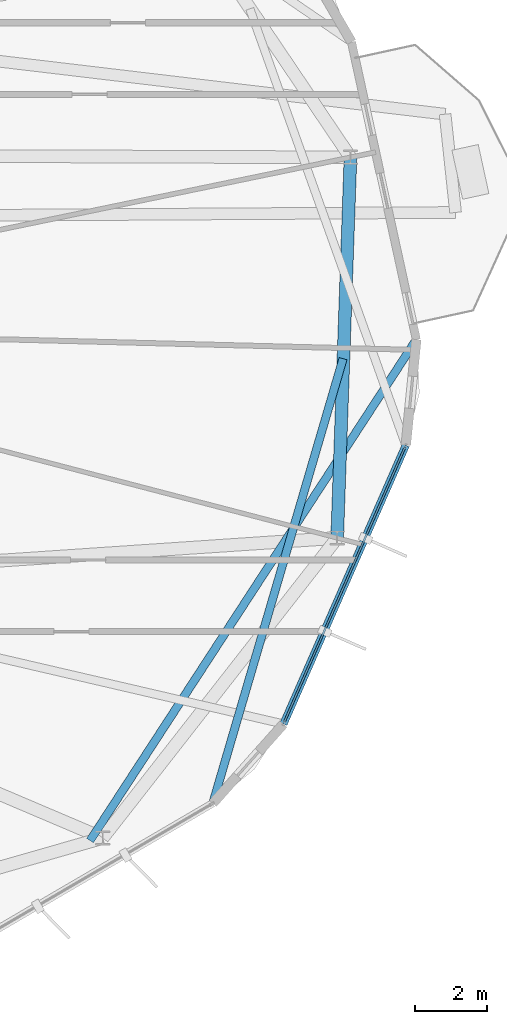
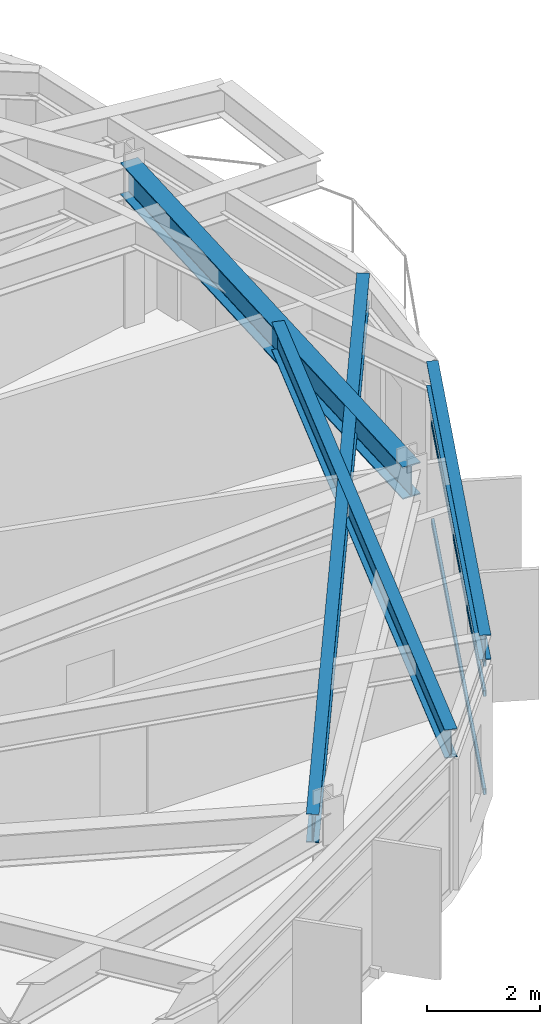
# One storey, part 13 of 25: 4 beams, 3 members, 1 element without a shape of its own.
"""IFC4 building model written with IfcOpenShell, lengths in metres."""

from ifc_helpers import new_model, si_unit, direction, frame, origin, origin_2d, place, context, subcontext, project, spatial, hollow_rectangle, i_section, extrude, material, layer, layer_set, material_profile, profile_set, type_object, element, aggregate, save


model = new_model("IFC4")

# Units and contexts
model_context = context("Model", 3, precision=1e-05, world=origin(), true_north=direction((0.0, 1.0)))
body_context = subcontext(model_context, "Body", "Model", "MODEL_VIEW")
ifc_project = project(units=[si_unit("LENGTHUNIT", "METRE"), si_unit("AREAUNIT", "SQUARE_METRE"), si_unit("VOLUMEUNIT", "CUBIC_METRE"), si_unit("PLANEANGLEUNIT", "RADIAN"), si_unit("MASSUNIT", "GRAM", prefix="KILO")], contexts=[model_context])

# Site, building, storey
site_placement = place(None, origin())
site = spatial("IfcSite", under=ifc_project, at=site_placement, CompositionType="ELEMENT")
building_placement = place(site_placement, origin())
building = spatial("IfcBuilding", under=site, at=building_placement, Name="Soratama Intermodal Tower", CompositionType="ELEMENT")
storey_placement = place(building_placement, frame((0.0, 0.0, 276.25)))
storey = spatial("IfcBuildingStorey", under=building, at=storey_placement, Name="L70", CompositionType="ELEMENT", Elevation=276.25)

# Beams
ifc_material_1 = material(Name="Structural steel ASTM A992 Grade 50", Category="steel")
ifc_material_profile_1 = material_profile(ifc_material_1, i_section(OverallWidth=0.35498046875, OverallDepth=0.695068359375, WebThickness=0.015380859375, FlangeThickness=0.02490234375, FilletRadius=0.01611328125, at=origin_2d()), Name="W27X146")
ifc_profile_set_1 = profile_set([ifc_material_profile_1], Name="Structural steel ASTM A992 Grade 50")
beam_type_1 = type_object("IfcBeamType", Name="BM-RING-W27X146", PredefinedType="BEAM", material=ifc_profile_set_1)
beam_1_placement = place(storey_placement, frame((61.1630859375, 19.116943359375, 3.1025390625), z_axis=(0.034885453879, 0.999391317307, 0.0), x_axis=(-0.999391317307, 0.034885453879, 0.0)))
element("IfcBeam", 1, at=beam_1_placement, inside=storey, type_object=beam_type_1, Name="BM-L70-RING-10", PredefinedType="BEAM", context=body_context, shape_type="SweptSolid", body=[
    extrude(i_section(OverallWidth=0.35498046875, OverallDepth=0.695068359375, WebThickness=0.015380859375, FlangeThickness=0.02490234375, FilletRadius=0.01611328125, at=origin_2d()), origin(), (0.0, 0.0, 1.0), 10.630615234375),
])
ifc_material_2 = material(Name="Structural steel ASTM A992 Grade 50", Category="steel")
ifc_material_profile_2 = material_profile(ifc_material_2, i_section(OverallWidth=0.2099609375, OverallDepth=0.537109375, WebThickness=0.010986328125, FlangeThickness=0.017333984375, FilletRadius=0.012939453125, at=origin_2d()), Name="W21X68")
ifc_profile_set_2 = profile_set([ifc_material_profile_2], Name="Structural steel ASTM A992 Grade 50")
beam_type_2 = type_object("IfcBeamType", Name="BM-SPN-W21X68", PredefinedType="SPANDREL", material=ifc_profile_set_2)
beam_2_placement = place(storey_placement, frame((59.6640625, 13.922119140625, 3.181396484375), z_axis=(0.401901955072, 0.915682706241, 0.0), x_axis=(-0.915682706241, 0.401901955072, 0.0)))
element("IfcBeam", 2, at=beam_2_placement, inside=storey, type_object=beam_type_2, Name="BS-L70-F08", PredefinedType="SPANDREL", context=body_context, shape_type="SweptSolid", body=[
    extrude(i_section(OverallWidth=0.2099609375, OverallDepth=0.537109375, WebThickness=0.010986328125, FlangeThickness=0.017333984375, FilletRadius=0.012939453125, at=origin_2d()), origin(), (0.0, 0.0, 1.0), 8.49951171875),
])
ifc_material_3 = material(Name="Structural steel ASTM A992 Grade 50", Category="steel")
ifc_material_profile_3 = material_profile(ifc_material_3, i_section(OverallWidth=0.22900390625, OverallDepth=0.612060546875, WebThickness=0.011962890625, FlangeThickness=0.01953125, FilletRadius=0.012939453125, at=origin_2d()), Name="W24X84")
ifc_profile_set_3 = profile_set([ifc_material_profile_3], Name="Structural steel ASTM A992 Grade 50")
beam_type_3 = type_object("IfcBeamType", Name="BM-TIE-W24X84", PredefinedType="BEAM", material=ifc_profile_set_3)
beam_3_placement = place(storey_placement, frame((61.327880859375, 24.1220703125, 3.14404296875), z_axis=(-0.281202718644, -0.959648389269, 0.0), x_axis=(0.959648389269, -0.281202718644, 0.0)))
element("IfcBeam", 3, at=beam_3_placement, inside=storey, type_object=beam_type_3, Name="BM-L70-TIE1-07", PredefinedType="BEAM", context=body_context, shape_type="SweptSolid", body=[
    extrude(i_section(OverallWidth=0.22900390625, OverallDepth=0.612060546875, WebThickness=0.011962890625, FlangeThickness=0.01953125, FilletRadius=0.012939453125, at=origin_2d()), origin(), (0.0, 0.0, 1.0), 12.93701171875),
])
beam_4_placement = place(storey_placement, frame((54.264892578125, 10.6669921875, 3.14404296875), z_axis=(0.545687739632, 0.837988598261, 0.0), x_axis=(-0.837988598261, 0.545687739632, 0.0)))
element("IfcBeam", 4, at=beam_4_placement, inside=storey, type_object=beam_type_3, Name="BM-L70-TIE0-09", PredefinedType="BEAM", context=body_context, shape_type="SweptSolid", body=[
    extrude(i_section(OverallWidth=0.22900390625, OverallDepth=0.612060546875, WebThickness=0.011962890625, FlangeThickness=0.01953125, FilletRadius=0.012939453125, at=origin_2d()), origin(), (0.0, 0.0, 1.0), 16.69482421875),
])

# Curtain wall, members
ifc_material_4 = material(Name="Double-glazed aluminium curtain wall", Category="aluminium")
ifc_layer = layer(ifc_material_4, 0.159912109375)
ifc_layer_set = layer_set([ifc_layer], Name="Double-glazed aluminium curtain wall")
curtain_wall_type = type_object("IfcCurtainWallType", Name="CW-SYS-5", PredefinedType="NOTDEFINED", material=ifc_layer_set)
curtain_wall_placement = place(storey_placement, origin())
curtain_wall = element("IfcCurtainWall", 5, at=curtain_wall_placement, inside=storey, type_object=curtain_wall_type, Name="L70 Faceted Curtain Wall F08", PredefinedType="NOTDEFINED")
ifc_material_5 = material(Name="Anodised aluminium AA 6063-T6", Category="aluminium")
ifc_material_profile_4 = material_profile(ifc_material_5, hollow_rectangle(XDim=0.06005859375, YDim=0.1298828125, WallThickness=0.0048828125, InnerFilletRadius=0.0048828125, OuterFilletRadius=0.010009765625, at=origin_2d()), Name="CWT130X60X5")
ifc_profile_set_4 = profile_set([ifc_material_profile_4], Name="Anodised aluminium AA 6063-T6")
member_type = type_object("IfcMemberType", Name="TT-CWT-2", PredefinedType="USERDEFINED", material=ifc_profile_set_4)
member_1_placement = place(storey_placement, frame((59.687744140625, 13.976806640625, 0.030029296875), z_axis=(0.40197397603, 0.915651092171, 0.0), x_axis=(-0.915651092171, 0.40197397603, 0.0)))
member_1 = element("IfcMember", 6, at=member_1_placement, type_object=member_type, Name="CW-5 transom 1.1", ObjectType="TRANSOM", PredefinedType="USERDEFINED", context=body_context, shape_type="SweptSolid", body=[
    extrude(hollow_rectangle(XDim=0.06005859375, YDim=0.1298828125, WallThickness=0.0048828125, InnerFilletRadius=0.0048828125, OuterFilletRadius=0.010009765625, at=origin_2d()), origin(), (0.0, 0.0, 1.0), 8.379638671875),
])
member_2_placement = place(storey_placement, frame((59.687744140625, 13.976806640625, 2.14990234375), z_axis=(0.40197397603, 0.915651092171, 0.0), x_axis=(-0.915651092171, 0.40197397603, 0.0)))
member_2 = element("IfcMember", 7, at=member_2_placement, type_object=member_type, Name="CW-5 transom 1.2", ObjectType="TRANSOM", PredefinedType="USERDEFINED", context=body_context, shape_type="SweptSolid", body=[
    extrude(hollow_rectangle(XDim=0.06005859375, YDim=0.1298828125, WallThickness=0.0048828125, InnerFilletRadius=0.0048828125, OuterFilletRadius=0.010009765625, at=origin_2d()), origin(), (0.0, 0.0, 1.0), 8.379638671875),
])
member_3_placement = place(storey_placement, frame((59.687744140625, 13.976806640625, 2.799072265625), z_axis=(0.40197397603, 0.915651092171, 0.0), x_axis=(-0.915651092171, 0.40197397603, 0.0)))
member_3 = element("IfcMember", 8, at=member_3_placement, type_object=member_type, Name="CW-5 transom 1.3", ObjectType="TRANSOM", PredefinedType="USERDEFINED", context=body_context, shape_type="SweptSolid", body=[
    extrude(hollow_rectangle(XDim=0.06005859375, YDim=0.1298828125, WallThickness=0.0048828125, InnerFilletRadius=0.0048828125, OuterFilletRadius=0.010009765625, at=origin_2d()), origin(), (0.0, 0.0, 1.0), 8.379638671875),
])
aggregate(curtain_wall, [member_1, member_2, member_3])

save(model, "model.ifc")
